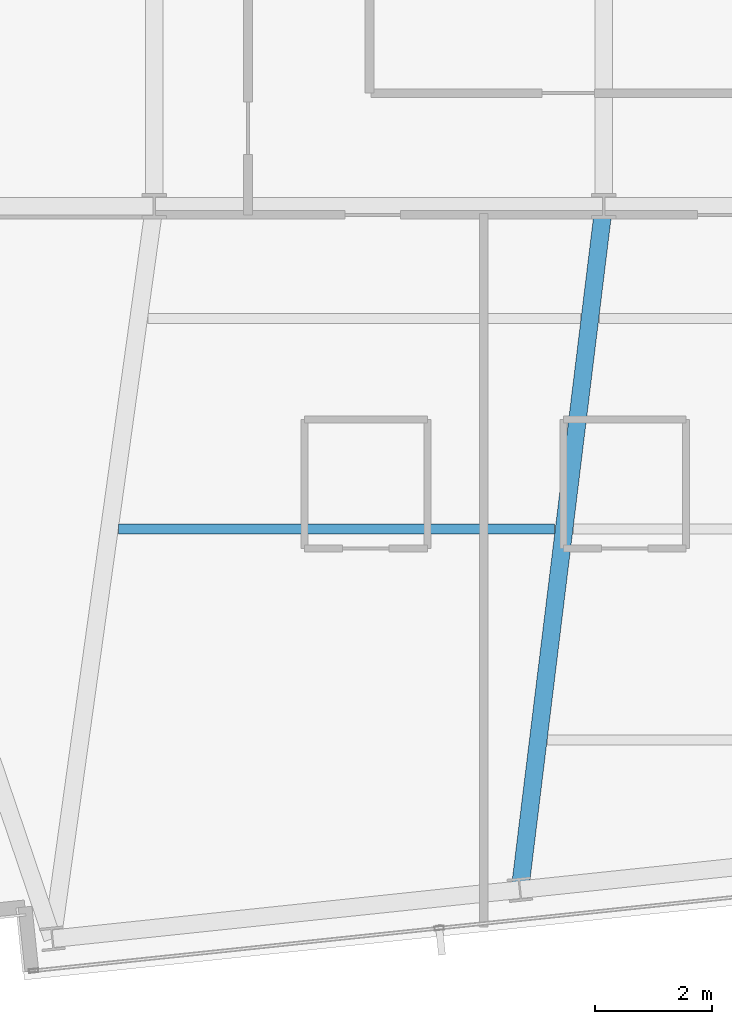
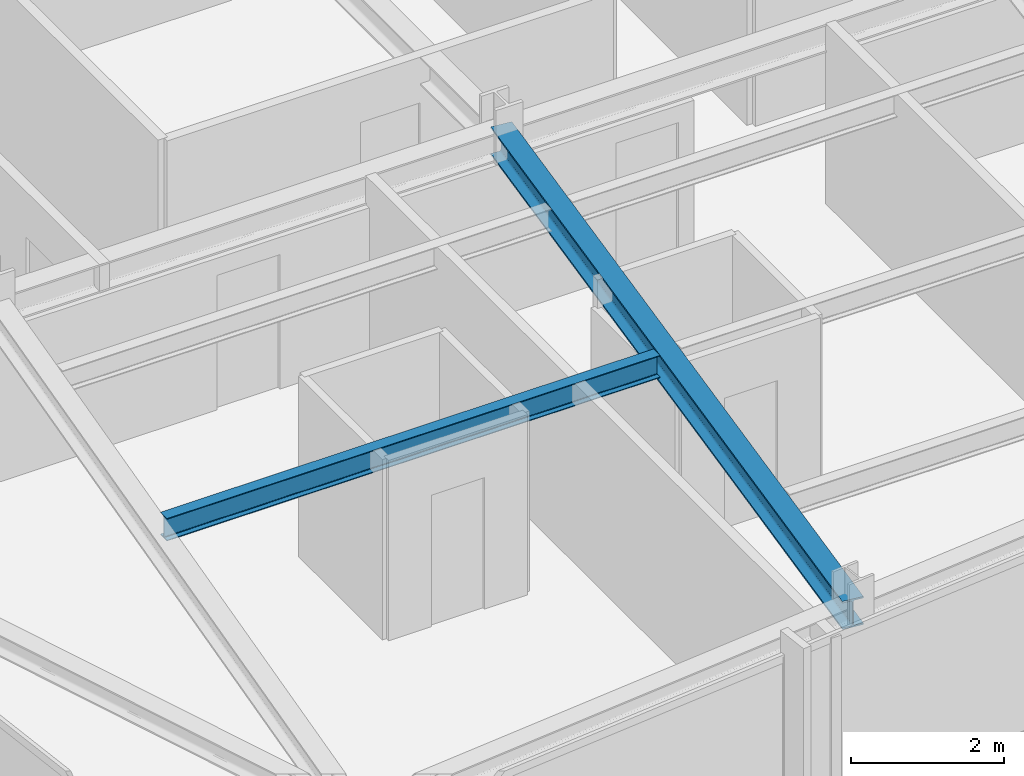
# One storey, part 4 of 33: 2 beams.
"""IFC4 building model written with IfcOpenShell, lengths in metres."""

from ifc_helpers import new_model, si_unit, direction, frame, origin, origin_2d, place, context, subcontext, project, spatial, i_section, extrude, material, material_profile, profile_set, type_object, element, save


model = new_model("IFC4")

# Units and contexts
model_context = context("Model", 3, precision=1e-05, world=origin(), true_north=direction((0.0, 1.0)))
body_context = subcontext(model_context, "Body", "Model", "MODEL_VIEW")
ifc_project = project(units=[si_unit("LENGTHUNIT", "METRE"), si_unit("AREAUNIT", "SQUARE_METRE"), si_unit("VOLUMEUNIT", "CUBIC_METRE"), si_unit("PLANEANGLEUNIT", "RADIAN"), si_unit("MASSUNIT", "GRAM", prefix="KILO")], contexts=[model_context])

# Site, building, storey
site_placement = place(None, origin())
site = spatial("IfcSite", under=ifc_project, at=site_placement, CompositionType="ELEMENT")
building_placement = place(site_placement, origin())
building = spatial("IfcBuilding", under=site, at=building_placement, Name="Yelkora Congress Tower", CompositionType="ELEMENT")
storey_placement = place(building_placement, frame((0.0, 0.0, 244.10009765625)))
storey = spatial("IfcBuildingStorey", under=building, at=storey_placement, Name="L68", CompositionType="ELEMENT", Elevation=244.10009765625)

# Beams
ifc_material = material(Name="Steel S355J2", Category="steel")
ifc_material_profile_1 = material_profile(ifc_material, i_section(OverallWidth=0.300048828125, OverallDepth=0.449951171875, WebThickness=0.013916015625, FlangeThickness=0.02587890625, FilletRadius=0.027099609375, at=origin_2d()), Name="HEB 450")
ifc_profile_set_1 = profile_set([ifc_material_profile_1], Name="Steel S355J2")
beam_type_1 = type_object("IfcBeamType", Name="BM-GIRD-HEB450", PredefinedType="BEAM", material=ifc_profile_set_1)
beam_1_placement = place(storey_placement, frame((29.288330078125, 13.518310546875, 2.65478515625), z_axis=(0.121644630436, 0.992573717104, 0.0), x_axis=(-0.992573717104, 0.121644630436, 0.0)))
element("IfcBeam", 1, at=beam_1_placement, inside=storey, type_object=beam_type_1, Name="L68 Primary Frame Girder S02", PredefinedType="BEAM", context=body_context, shape_type="SweptSolid", body=[
    extrude(i_section(OverallWidth=0.300048828125, OverallDepth=0.449951171875, WebThickness=0.013916015625, FlangeThickness=0.02587890625, FilletRadius=0.027099609375, at=origin_2d()), origin(), (0.0, 0.0, 1.0), 11.76904296875),
])
ifc_material_profile_2 = material_profile(ifc_material, i_section(OverallWidth=0.169921875, OverallDepth=0.360107421875, WebThickness=0.008056640625, FlangeThickness=0.0126953125, FilletRadius=0.01806640625, at=origin_2d()), Name="IPE 360")
ifc_profile_set_2 = profile_set([ifc_material_profile_2], Name="Steel S355J2")
beam_type_2 = type_object("IfcBeamType", Name="BM-JOIST-IPE360", PredefinedType="JOIST", material=ifc_profile_set_2)
beam_2_placement = place(storey_placement, frame((22.432373046875, 19.678466796875, 2.699951171875), z_axis=(1.0, 0.0, 0.0), x_axis=(0.0, 1.0, 0.0)))
element("IfcBeam", 2, at=beam_2_placement, inside=storey, type_object=beam_type_2, Name="L68 Composite Floor Joist 3", PredefinedType="JOIST", context=body_context, shape_type="SweptSolid", body=[
    extrude(i_section(OverallWidth=0.169921875, OverallDepth=0.360107421875, WebThickness=0.008056640625, FlangeThickness=0.0126953125, FilletRadius=0.01806640625, at=origin_2d()), origin(), (0.0, 0.0, 1.0), 7.450927734375),
])

save(model, "model.ifc")
